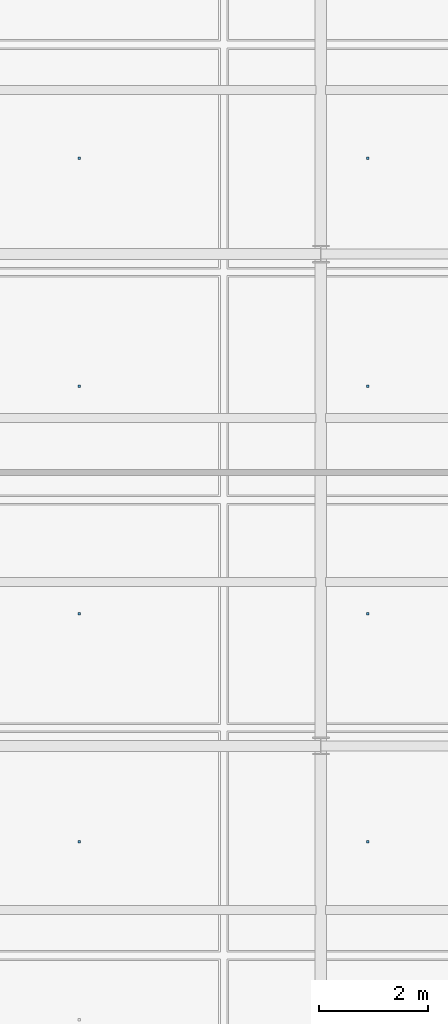
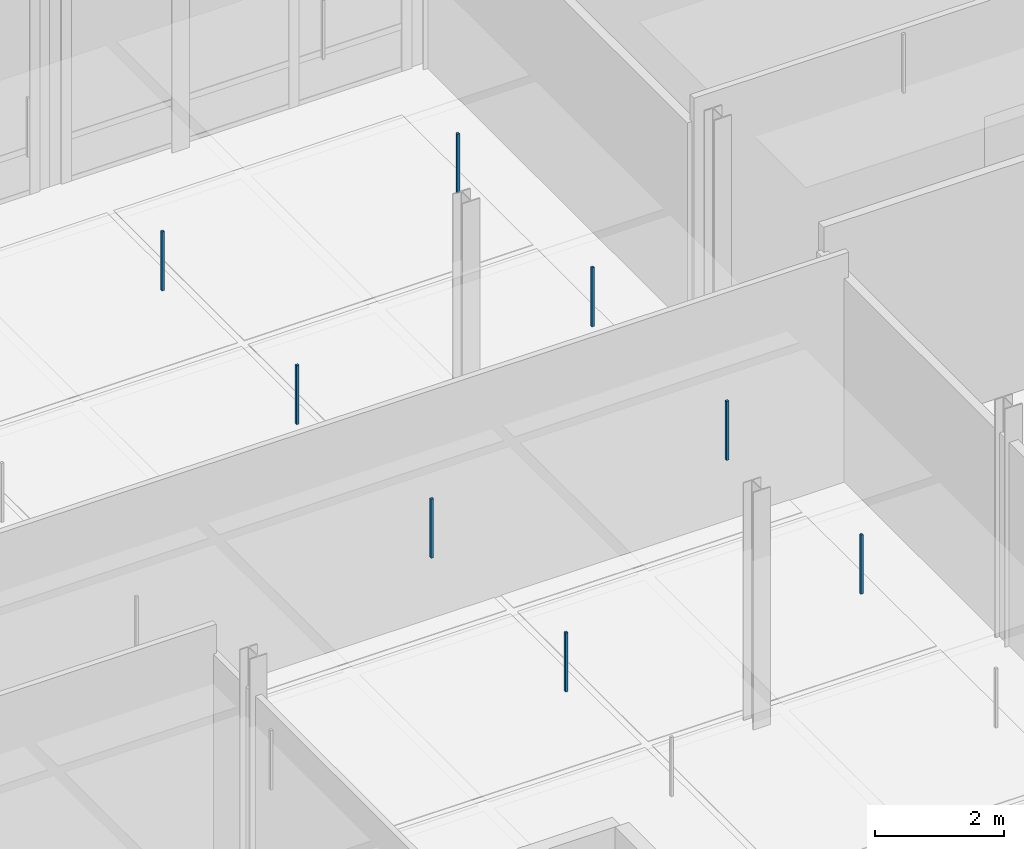
# One storey, part 114 of 140: 8 discrete accessories.
"""IFC4 building model written with IfcOpenShell, lengths in metres."""

from ifc_helpers import new_model, si_unit, direction, frame, origin, origin_2d, place, context, subcontext, project, spatial, rectangle, extrude, material, type_object, element, save


model = new_model("IFC4")

# Units and contexts
model_context = context("Model", 3, precision=1e-05, world=origin(), true_north=direction((0.0, 1.0)))
body_context = subcontext(model_context, "Body", "Model", "MODEL_VIEW")
ifc_project = project(units=[si_unit("LENGTHUNIT", "METRE"), si_unit("AREAUNIT", "SQUARE_METRE"), si_unit("VOLUMEUNIT", "CUBIC_METRE"), si_unit("PLANEANGLEUNIT", "RADIAN"), si_unit("MASSUNIT", "GRAM", prefix="KILO"), si_unit("THERMODYNAMICTEMPERATUREUNIT", "KELVIN"), si_unit("POWERUNIT", "WATT")], contexts=[model_context])

# Site, building, storey
site_placement = place(None, origin())
site = spatial("IfcSite", under=ifc_project, at=site_placement, CompositionType="ELEMENT")
building_placement = place(site_placement, origin())
building = spatial("IfcBuilding", under=site, at=building_placement, Name="Tallowbark Science Centre", CompositionType="ELEMENT")
storey_placement = place(building_placement, frame((0.0, 0.0, 9.89990234375)))
storey = spatial("IfcBuildingStorey", under=building, at=storey_placement, Name="L02", CompositionType="ELEMENT", Elevation=9.89990234375)

# Discrete accessories
ifc_material = material(Name="Galvanised Steel Grade C350L0 (350 MPa)", Category="steel")
discrete_accessory_type = type_object("IfcDiscreteAccessoryType", Name="ACC-CLG-HNG", PredefinedType="BRACKET", material=ifc_material)
for number, where, z_axis, x_axis, name in (
    (1, (103.583251953125, 79.25, 3.205078125), (0.0, 0.0, 1.0), (1.0, 0.0, 0.0), "Ceiling Hanger Bracket L02-900"),
    (2, (103.583251953125, 83.416748046875, 3.205078125), (0.0, 0.0, 1.0), (1.0, 0.0, 0.0), "Ceiling Hanger Bracket L02-901"),
    (3, (103.583251953125, 87.583251953125, 3.205078125), (0.0, 0.0, 1.0), (1.0, 0.0, 0.0), "Ceiling Hanger Bracket L02-902"),
    (4, (103.583251953125, 91.75, 3.205078125), (0.0, 0.0, 1.0), (1.0, 0.0, 0.0), "Ceiling Hanger Bracket L02-903"),
    (5, (108.861083984375, 79.25, 3.205078125), (0.0, 0.0, 1.0), (1.0, 0.0, 0.0), "Ceiling Hanger Bracket L02-906"),
    (6, (108.861083984375, 83.416748046875, 3.205078125), (0.0, 0.0, 1.0), (1.0, 0.0, 0.0), "Ceiling Hanger Bracket L02-907"),
    (7, (108.861083984375, 87.583251953125, 3.205078125), (0.0, 0.0, 1.0), (1.0, 0.0, 0.0), "Ceiling Hanger Bracket L02-908"),
    (8, (108.861083984375, 91.75, 3.205078125), (0.0, 0.0, 1.0), (1.0, 0.0, 0.0), "Ceiling Hanger Bracket L02-909"),
):
    element("IfcDiscreteAccessory", number, at=place(storey_placement, frame(where, z_axis=z_axis, x_axis=x_axis)), inside=storey, type_object=discrete_accessory_type, Name=name, PredefinedType="BRACKET", context=body_context, shape_type="SweptSolid", body=[
        extrude(rectangle(XDim=0.044921875, YDim=0.044921875, at=origin_2d()), origin(), (0.0, 0.0, 1.0), 1.117919921875),
    ])

save(model, "model.ifc")
